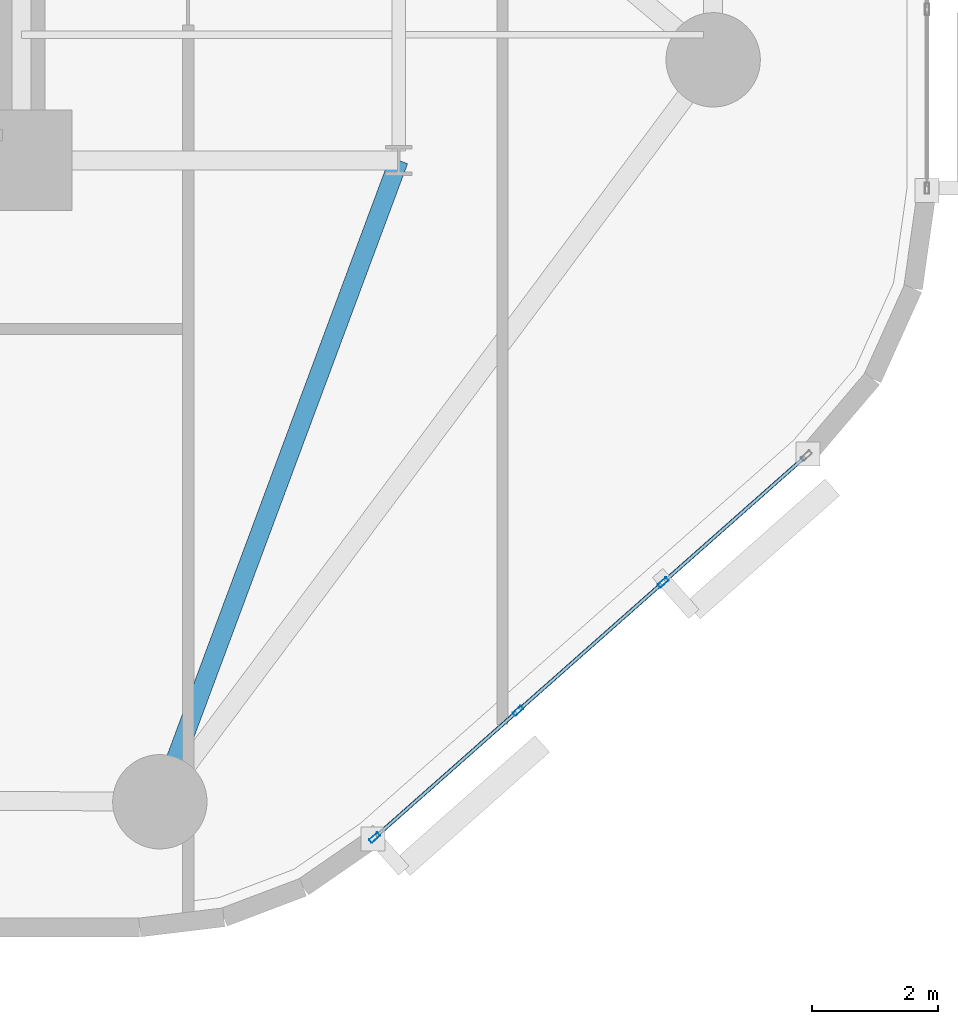
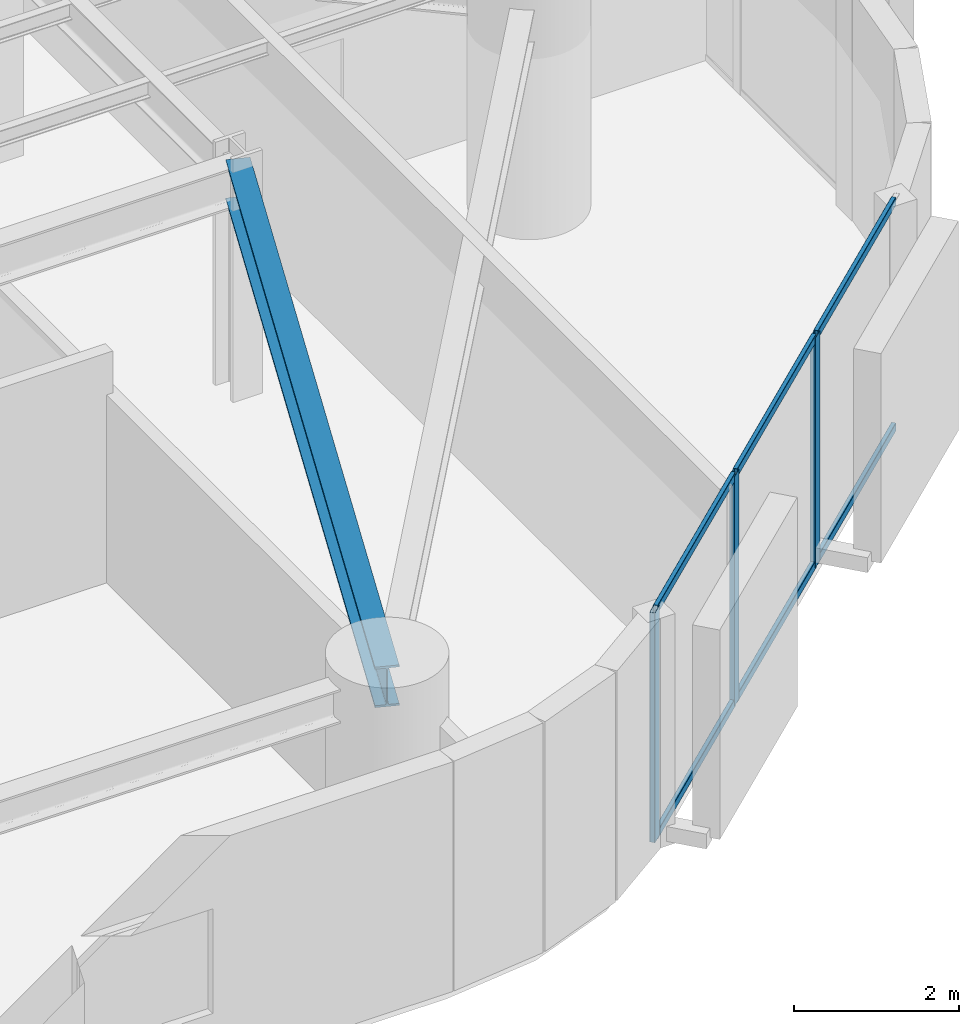
# One storey, part 2 of 16: 9 members, 1 beam, 1 element without a shape of its own.
"""IFC4 building model written with IfcOpenShell, lengths in metres."""

import ifcopenshell
import ifcopenshell.guid

model = None  # the IFC model being written
_history = None  # IfcOwnerHistory: only IFC2X3 demands one
_inside = {}  # id of a spatial element -> (the spatial element, [elements in it])
_under = {}  # id of a project, library or spatial element -> (it, [spatial elements below it])
_declared = {}  # id of a project -> (the project, [libraries it declares])
_typed = {}  # id of a type object -> (the type object, [elements of that type])
_made_of = {}  # id of a material, layer set ... -> (it, [elements and type objects made of it])


def new_model(schema):
    """Start an empty IFC model of exactly this schema.

    Asked for "IFC4X3", IfcOpenShell would pick the latest addendum, in which some entities
    have other attributes; the version numbers below select the first issue.
    IFC2X3 requires an IfcOwnerHistory on every rooted entity: one is made here for all.
    """
    global model, _history
    if schema == "IFC4X3":
        model = ifcopenshell.file(schema_version=(4, 3, 0, 0))
    else:
        model = ifcopenshell.file(schema=schema)
    _inside.clear()
    _under.clear()
    _declared.clear()
    _typed.clear()
    _made_of.clear()
    _history = None
    if model.schema == "IFC2X3":
        org = make("IfcOrganization", Name="unknown")
        user = make(
            "IfcPersonAndOrganization",
            ThePerson=make("IfcPerson", FamilyName="unknown"),
            TheOrganization=org,
        )
        app = make(
            "IfcApplication",
            ApplicationDeveloper=org,
            Version="unknown",
            ApplicationFullName="unknown",
            ApplicationIdentifier="unknown",
        )
        _history = make(
            "IfcOwnerHistory",
            OwningUser=user,
            OwningApplication=app,
            ChangeAction="ADDED",
            CreationDate=0,
        )
    return model


def make(cls, **values):
    """One entity of the class cls with the attributes given. An attribute that is None is left unset."""
    return model.create_entity(
        cls, **{name: value for name, value in values.items() if value is not None}
    )


def rooted(cls, **values):
    """An entity with a GlobalId (a new one), such as an element, a storey or a relation."""
    return make(cls, GlobalId=ifcopenshell.guid.new(), OwnerHistory=_history, **values)


def si_unit(unit_type, name, prefix=None):
    """IfcSIUnit, for example si_unit("LENGTHUNIT", "METRE", prefix="MILLI")."""
    return make("IfcSIUnit", UnitType=unit_type, Prefix=prefix, Name=name)


def assignment(units):
    """IfcUnitAssignment: the units of a project."""
    return None if units is None else make("IfcUnitAssignment", Units=units)


def point(xyz):
    """IfcCartesianPoint."""
    return None if xyz is None else make("IfcCartesianPoint", Coordinates=xyz)


def direction(xyz):
    """IfcDirection."""
    return None if xyz is None else make("IfcDirection", DirectionRatios=xyz)


def frame(location, z_axis=None, x_axis=None):
    """IfcAxis2Placement3D, a coordinate frame: its origin and axes. An axis left out is left unset."""
    return make(
        "IfcAxis2Placement3D",
        Location=point(location),
        Axis=direction(z_axis),
        RefDirection=direction(x_axis),
    )


def frame_2d(location, x_axis=None):
    """IfcAxis2Placement2D, a coordinate frame in the plane: its origin and x axis."""
    return make(
        "IfcAxis2Placement2D", Location=point(location), RefDirection=direction(x_axis)
    )


def origin():
    """The frame at (0, 0, 0) with its axes left unset."""
    return frame((0.0, 0.0, 0.0))


def origin_2d():
    """The frame at (0, 0) in the plane with its x axis left unset."""
    return frame_2d((0.0, 0.0))


def place(relative_to, where):
    """IfcLocalPlacement: puts the frame where relative to a parent placement (None: the world)."""
    return make(
        "IfcLocalPlacement", PlacementRelTo=relative_to, RelativePlacement=where
    )


def context(
    kind, dimensions, precision=None, world=None, true_north=None, identifier=None
):
    """IfcGeometricRepresentationContext, for example the 3D "Model" context."""
    return make(
        "IfcGeometricRepresentationContext",
        ContextIdentifier=identifier,
        ContextType=kind,
        CoordinateSpaceDimension=dimensions,
        Precision=precision,
        WorldCoordinateSystem=world,
        TrueNorth=true_north,
    )


def subcontext(parent, identifier, kind, view, scale=None):
    """IfcGeometricRepresentationSubContext, for example "Body" below "Model"."""
    return make(
        "IfcGeometricRepresentationSubContext",
        ContextIdentifier=identifier,
        ContextType=kind,
        ParentContext=parent,
        TargetScale=scale,
        TargetView=view,
    )


def project(units=None, contexts=None):
    """IfcProject with its units and contexts."""
    return rooted(
        "IfcProject",
        Name="project",
        RepresentationContexts=contexts,
        UnitsInContext=assignment(units),
    )


def spatial(cls, under=None, at=None, **own):
    """A site, building, storey or space (cls), placed at a placement, below another one or the project."""
    s = rooted(cls, ObjectPlacement=at, **own)
    if under is not None:
        _under.setdefault(under.id(), (under, []))[1].append(s)
    return s


def profile(cls, at=None, kind="AREA", **sizes):
    """A parametric profile (cls). Its sizes go by their IFC names, for example OverallWidth=200.0."""
    return make(cls, ProfileType=kind, Position=at, **sizes)


def hollow_rectangle(**sizes):
    """IfcRectangleHollowProfileDef."""
    return profile("IfcRectangleHollowProfileDef", **sizes)


def i_section(**sizes):
    """IfcIShapeProfileDef."""
    return profile("IfcIShapeProfileDef", **sizes)


def extrude(swept, where, along, depth):
    """IfcExtrudedAreaSolid: the profile swept, set in the frame where, extruded along a direction by depth."""
    return make(
        "IfcExtrudedAreaSolid",
        SweptArea=swept,
        Position=where,
        ExtrudedDirection=direction(along),
        Depth=depth,
    )


def shape(context_of_items, identifier, shape_type, items):
    """IfcShapeRepresentation: the items that make up one representation, for example the "Body"."""
    return make(
        "IfcShapeRepresentation",
        ContextOfItems=context_of_items,
        RepresentationIdentifier=identifier,
        RepresentationType=shape_type,
        Items=items,
    )


def material(Name=None, Category=None):
    """IfcMaterial."""
    return make("IfcMaterial", Name=Name, Category=Category)


def layer(
    of_material, thickness, ventilated=None, Name=None, Category=None, Priority=None
):
    """IfcMaterialLayer: one layer of a wall or slab, of a material (None: an air gap)."""
    return make(
        "IfcMaterialLayer",
        Material=of_material,
        LayerThickness=thickness,
        IsVentilated=ventilated,
        Name=Name,
        Category=Category,
        Priority=Priority,
    )


def layer_set(layers, Name=None):
    """IfcMaterialLayerSet."""
    return make("IfcMaterialLayerSet", MaterialLayers=layers, LayerSetName=Name)


def material_profile(
    of_material, cross_section, Name=None, Category=None, Priority=None
):
    """IfcMaterialProfile: a cross section and its material."""
    return make(
        "IfcMaterialProfile",
        Name=Name,
        Material=of_material,
        Profile=cross_section,
        Priority=Priority,
        Category=Category,
    )


def profile_set(profiles, Name=None, composite=None):
    """IfcMaterialProfileSet."""
    return make(
        "IfcMaterialProfileSet",
        Name=Name,
        MaterialProfiles=profiles,
        CompositeProfile=composite,
    )


def made_of(thing, what):
    """Note that an element or type object is made of a material, layer set ...; save() writes the relation."""
    if what is not None:
        _made_of.setdefault(what.id(), (what, []))[1].append(thing)
    return thing


def type_object(cls, material=None, **own):
    """A type object (cls), such as IfcWallType, which elements share."""
    return made_of(rooted(cls, **own), material)


def element(
    cls,
    number,
    at=None,
    inside=None,
    cuts=None,
    type_object=None,
    material=None,
    context=None,
    identifier="Body",
    shape_type=None,
    held_by="IfcProductDefinitionShape",
    body=None,
    shapes=None,
    **own,
):
    """One element of the class cls, such as IfcWall. Its Tag is "e" and its number.

    at: its placement. inside: the storey or other place that contains it. cuts: it is an
    opening in that element (IfcRelVoidsElement). A single representation is given by context,
    identifier, shape_type and body (its items); several are given by shapes. held_by: the class
    of the entity that holds the representations. save() writes the other relations.
    """
    e = rooted(cls, Tag="e%d" % number, ObjectPlacement=at, **own)
    if body is not None:
        shapes = [shape(context, identifier, shape_type, body)]
    if shapes is not None:
        e.Representation = make(held_by, Representations=shapes)
    if inside is not None:
        _inside.setdefault(inside.id(), (inside, []))[1].append(e)
    if cuts is not None:
        rooted(
            "IfcRelVoidsElement", RelatingBuildingElement=cuts, RelatedOpeningElement=e
        )
    if type_object is not None:
        _typed.setdefault(type_object.id(), (type_object, []))[1].append(e)
    return made_of(e, material)


def aggregate(whole, parts):
    """IfcRelAggregates: a whole, such as a stair, and the parts it consists of."""
    return rooted("IfcRelAggregates", RelatingObject=whole, RelatedObjects=parts)


def save(model, path):
    """Write the relations noted so far, then the file.

    IfcRelAggregates (storeys below a building ...), IfcRelContainedInSpatialStructure (elements
    in a storey), IfcRelDefinesByType, IfcRelAssociatesMaterial and IfcRelDeclares: one each for
    every whole, place, type object, material and project.
    """
    for whole, parts in _under.values():
        aggregate(whole, parts)
    for where, things in _inside.values():
        rooted(
            "IfcRelContainedInSpatialStructure",
            RelatedElements=things,
            RelatingStructure=where,
        )
    for kind, things in _typed.values():
        rooted("IfcRelDefinesByType", RelatedObjects=things, RelatingType=kind)
    for what, things in _made_of.values():
        rooted("IfcRelAssociatesMaterial", RelatedObjects=things, RelatingMaterial=what)
    for by, libraries in _declared.values():
        rooted("IfcRelDeclares", RelatingContext=by, RelatedDefinitions=libraries)
    model.write(path)


model = new_model("IFC4")

# Units and contexts
model_context = context("Model", 3, precision=1e-05, world=origin(), true_north=direction((0.0, 1.0)))
body_context = subcontext(model_context, "Body", "Model", "MODEL_VIEW")
ifc_project = project(units=[si_unit("LENGTHUNIT", "METRE"), si_unit("AREAUNIT", "SQUARE_METRE"), si_unit("VOLUMEUNIT", "CUBIC_METRE"), si_unit("PLANEANGLEUNIT", "RADIAN"), si_unit("MASSUNIT", "GRAM", prefix="KILO")], contexts=[model_context])

# Site, building, storey
site_placement = place(None, origin())
site = spatial("IfcSite", under=ifc_project, at=site_placement, CompositionType="ELEMENT")
building_placement = place(site_placement, origin())
building = spatial("IfcBuilding", under=site, at=building_placement, Name="An Khanh Terracotta Commons", CompositionType="ELEMENT")
storey_placement = place(building_placement, frame((0.0, 0.0, 50.39990234375)))
storey = spatial("IfcBuildingStorey", under=building, at=storey_placement, Name="L13", CompositionType="ELEMENT", Elevation=50.39990234375)

# Beam
ifc_material_1 = material(Name="Steel S355J2", Category="steel")
ifc_material_profile_1 = material_profile(ifc_material_1, i_section(OverallWidth=0.300048828125, OverallDepth=0.60009765625, WebThickness=0.015380859375, FlangeThickness=0.030029296875, FilletRadius=0.027099609375, at=origin_2d()), Name="HEB600")
ifc_profile_set_1 = profile_set([ifc_material_profile_1], Name="Steel S355J2")
beam_type = type_object("IfcBeamType", Name="BM-HEB600", PredefinedType="BEAM", material=ifc_profile_set_1)
beam_placement = place(storey_placement, frame((39.39990234375, 4.199951171875, 3.10009765625), z_axis=(0.349114429862, 0.937080100558, 0.0), x_axis=(-0.937080100558, 0.349114429862, 0.0)))
element("IfcBeam", 1, at=beam_placement, inside=storey, type_object=beam_type, Name="L13 Mega-Column Tie Girder 2", PredefinedType="BEAM", context=body_context, shape_type="SweptSolid", body=[
    extrude(i_section(OverallWidth=0.300048828125, OverallDepth=0.60009765625, WebThickness=0.015380859375, FlangeThickness=0.030029296875, FilletRadius=0.027099609375, at=origin_2d()), origin(), (0.0, 0.0, 1.0), 10.884765625),
])

# Curtain wall, members
ifc_material_2 = material(Name="Anodised Aluminium 6063-T6", Category="aluminium")
ifc_layer = layer(ifc_material_2, 0.199951171875, Name="Anodised Aluminium 6063-T6")
ifc_layer_set = layer_set([ifc_layer], Name="Anodised Aluminium 6063-T6")
curtain_wall_type = type_object("IfcCurtainWallType", Name="CW-SYS-02", PredefinedType="USERDEFINED", material=ifc_layer_set)
curtain_wall_placement = place(storey_placement, origin())
curtain_wall = element("IfcCurtainWall", 2, at=curtain_wall_placement, inside=storey, type_object=curtain_wall_type, Name="L13 CW-02 Unitised Curtain Wall CW-L13-08", ObjectType="UNITISED CURTAIN WALL", PredefinedType="USERDEFINED")
ifc_material_profile_2 = material_profile(ifc_material_2, hollow_rectangle(XDim=0.070068359375, YDim=0.179931640625, WallThickness=0.00390625, InnerFilletRadius=0.00390625, OuterFilletRadius=0.008056640625, at=origin_2d()), Name="RHS180x70x4")
ifc_profile_set_2 = profile_set([ifc_material_profile_2], Name="Anodised Aluminium 6063-T6")
member_type_1 = type_object("IfcMemberType", Name="CWM-RHS180x70x4", PredefinedType="MULLION", material=ifc_profile_set_2)
member_1_placement = place(storey_placement, frame((42.815185546875, 3.629150390625, 0.0), z_axis=(0.0, 0.0, 1.0), x_axis=(-0.662548195415, 0.749019284633, 0.0)))
member_1 = element("IfcMember", 3, at=member_1_placement, type_object=member_type_1, Name="CW-02 mullion 1", PredefinedType="MULLION", context=body_context, shape_type="SweptSolid", body=[
    extrude(hollow_rectangle(XDim=0.070068359375, YDim=0.179931640625, WallThickness=0.00390625, InnerFilletRadius=0.00390625, OuterFilletRadius=0.008056640625, at=origin_2d()), origin(), (0.0, 0.0, 1.0), 3.400146484375),
])
member_2_placement = place(storey_placement, frame((45.095947265625, 5.646728515625, 0.0), z_axis=(0.0, 0.0, 1.0), x_axis=(-0.662548195415, 0.749019284633, 0.0)))
member_2 = element("IfcMember", 4, at=member_2_placement, type_object=member_type_1, Name="CW-02 mullion 2", PredefinedType="MULLION", context=body_context, shape_type="SweptSolid", body=[
    extrude(hollow_rectangle(XDim=0.070068359375, YDim=0.179931640625, WallThickness=0.00390625, InnerFilletRadius=0.00390625, OuterFilletRadius=0.008056640625, at=origin_2d()), origin(), (0.0, 0.0, 1.0), 3.400146484375),
])
member_3_placement = place(storey_placement, frame((47.403076171875, 7.687255859375, 0.0), z_axis=(0.0, 0.0, 1.0), x_axis=(-0.662548195415, 0.749019284633, 0.0)))
member_3 = element("IfcMember", 5, at=member_3_placement, type_object=member_type_1, Name="CW-02 mullion 3", PredefinedType="MULLION", context=body_context, shape_type="SweptSolid", body=[
    extrude(hollow_rectangle(XDim=0.070068359375, YDim=0.179931640625, WallThickness=0.00390625, InnerFilletRadius=0.00390625, OuterFilletRadius=0.008056640625, at=origin_2d()), origin(), (0.0, 0.0, 1.0), 3.400146484375),
])
ifc_material_profile_3 = material_profile(ifc_material_2, hollow_rectangle(XDim=0.06005859375, YDim=0.1201171875, WallThickness=0.003662109375, InnerFilletRadius=0.003662109375, OuterFilletRadius=0.007080078125, at=origin_2d()), Name="RHS120x60x3.6")
ifc_profile_set_3 = profile_set([ifc_material_profile_3], Name="Anodised Aluminium 6063-T6")
member_type_2 = type_object("IfcMemberType", Name="CWT-RHS120x60x3.6", PredefinedType="USERDEFINED", material=ifc_profile_set_3)
member_4_placement = place(storey_placement, frame((42.841552734375, 3.65234375, 0.030029296875), z_axis=(0.74899186341, 0.662579194168, 0.0), x_axis=(-0.662579194168, 0.74899186341, 0.0)))
member_4 = element("IfcMember", 6, at=member_4_placement, type_object=member_type_2, Name="CW-02 transom 1.1", ObjectType="TRANSOM", PredefinedType="USERDEFINED", context=body_context, shape_type="SweptSolid", body=[
    extrude(hollow_rectangle(XDim=0.06005859375, YDim=0.1201171875, WallThickness=0.003662109375, InnerFilletRadius=0.003662109375, OuterFilletRadius=0.007080078125, at=origin_2d()), origin(), (0.0, 0.0, 1.0), 2.97509765625),
])
member_5_placement = place(storey_placement, frame((42.841552734375, 3.65234375, 3.3701171875), z_axis=(0.74899186341, 0.662579194168, 0.0), x_axis=(-0.662579194168, 0.74899186341, 0.0)))
member_5 = element("IfcMember", 7, at=member_5_placement, type_object=member_type_2, Name="CW-02 transom 1.2", ObjectType="TRANSOM", PredefinedType="USERDEFINED", context=body_context, shape_type="SweptSolid", body=[
    extrude(hollow_rectangle(XDim=0.06005859375, YDim=0.1201171875, WallThickness=0.003662109375, InnerFilletRadius=0.003662109375, OuterFilletRadius=0.007080078125, at=origin_2d()), origin(), (0.0, 0.0, 1.0), 2.97509765625),
])
member_6_placement = place(storey_placement, frame((45.122314453125, 5.669921875, 0.030029296875), z_axis=(0.749018237701, 0.662549378984, 0.0), x_axis=(-0.662549378984, 0.749018237701, 0.0)))
member_6 = element("IfcMember", 8, at=member_6_placement, type_object=member_type_2, Name="CW-02 transom 2.1", ObjectType="TRANSOM", PredefinedType="USERDEFINED", context=body_context, shape_type="SweptSolid", body=[
    extrude(hollow_rectangle(XDim=0.06005859375, YDim=0.1201171875, WallThickness=0.003662109375, InnerFilletRadius=0.003662109375, OuterFilletRadius=0.007080078125, at=origin_2d()), origin(), (0.0, 0.0, 1.0), 3.009765625),
])
member_7_placement = place(storey_placement, frame((45.122314453125, 5.669921875, 3.3701171875), z_axis=(0.749018237701, 0.662549378984, 0.0), x_axis=(-0.662549378984, 0.749018237701, 0.0)))
member_7 = element("IfcMember", 9, at=member_7_placement, type_object=member_type_2, Name="CW-02 transom 2.2", ObjectType="TRANSOM", PredefinedType="USERDEFINED", context=body_context, shape_type="SweptSolid", body=[
    extrude(hollow_rectangle(XDim=0.06005859375, YDim=0.1201171875, WallThickness=0.003662109375, InnerFilletRadius=0.003662109375, OuterFilletRadius=0.007080078125, at=origin_2d()), origin(), (0.0, 0.0, 1.0), 3.009765625),
])
member_8_placement = place(storey_placement, frame((47.42919921875, 7.71044921875, 0.030029296875), z_axis=(0.74899186341, 0.662579194168, 0.0), x_axis=(-0.662579194168, 0.74899186341, 0.0)))
member_8 = element("IfcMember", 10, at=member_8_placement, type_object=member_type_2, Name="CW-02 transom 3.1", ObjectType="TRANSOM", PredefinedType="USERDEFINED", context=body_context, shape_type="SweptSolid", body=[
    extrude(hollow_rectangle(XDim=0.06005859375, YDim=0.1201171875, WallThickness=0.003662109375, InnerFilletRadius=0.003662109375, OuterFilletRadius=0.007080078125, at=origin_2d()), origin(), (0.0, 0.0, 1.0), 2.97509765625),
])
member_9_placement = place(storey_placement, frame((47.42919921875, 7.71044921875, 3.3701171875), z_axis=(0.74899186341, 0.662579194168, 0.0), x_axis=(-0.662579194168, 0.74899186341, 0.0)))
member_9 = element("IfcMember", 11, at=member_9_placement, type_object=member_type_2, Name="CW-02 transom 3.2", ObjectType="TRANSOM", PredefinedType="USERDEFINED", context=body_context, shape_type="SweptSolid", body=[
    extrude(hollow_rectangle(XDim=0.06005859375, YDim=0.1201171875, WallThickness=0.003662109375, InnerFilletRadius=0.003662109375, OuterFilletRadius=0.007080078125, at=origin_2d()), origin(), (0.0, 0.0, 1.0), 2.97509765625),
])
aggregate(curtain_wall, [member_1, member_2, member_3, member_4, member_5, member_6, member_7, member_8, member_9])

save(model, "model.ifc")
